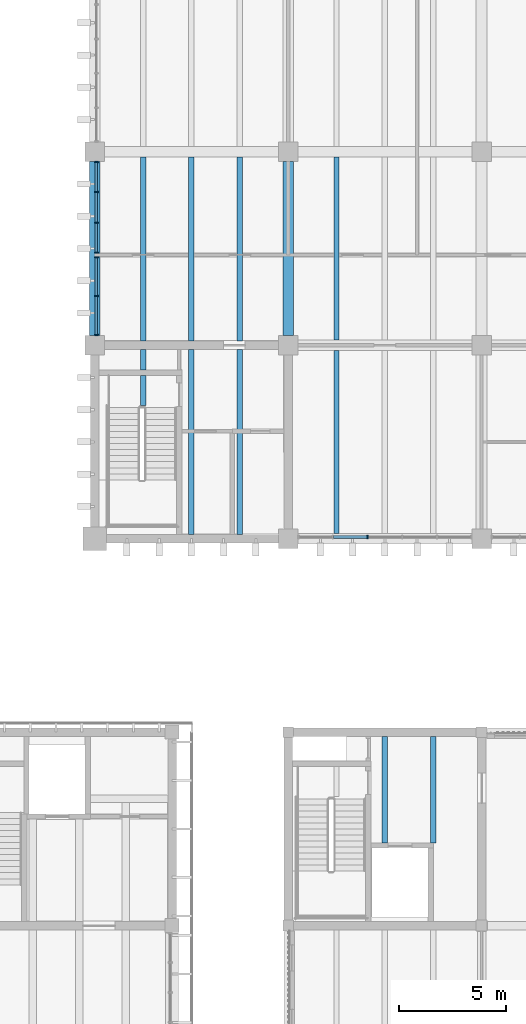
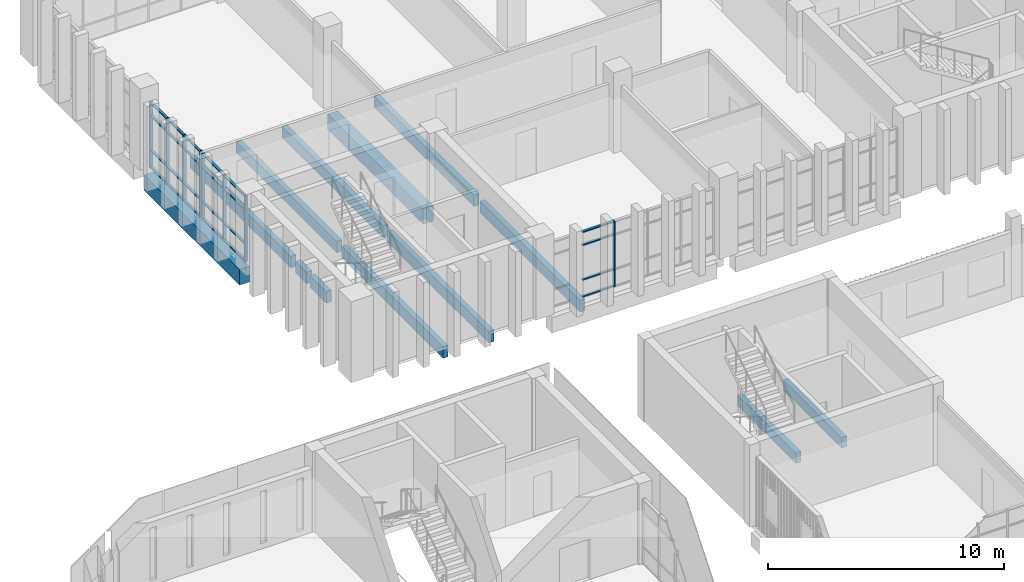
# One storey, part 28 of 92: 32 members, 13 beams, 3 elements without a shape of their own.
"""IFC4 building model written with IfcOpenShell, lengths in metres."""

from ifc_helpers import new_model, si_unit, direction, frame, origin, origin_2d, place, context, subcontext, project, spatial, rectangle, extrude, material, material_profile, profile_set, type_object, element, aggregate, save


model = new_model("IFC4")

# Units and contexts
model_context = context("Model", 3, precision=1e-05, world=origin(), true_north=direction((0.0, 1.0)))
body_context = subcontext(model_context, "Body", "Model", "MODEL_VIEW")
ifc_project = project(units=[si_unit("LENGTHUNIT", "METRE"), si_unit("AREAUNIT", "SQUARE_METRE"), si_unit("VOLUMEUNIT", "CUBIC_METRE"), si_unit("PLANEANGLEUNIT", "RADIAN"), si_unit("MASSUNIT", "GRAM", prefix="KILO")], contexts=[model_context])

# Site, building, storey
site_placement = place(None, origin())
site = spatial("IfcSite", under=ifc_project, at=site_placement, CompositionType="ELEMENT")
building_placement = place(site_placement, origin())
building = spatial("IfcBuilding", under=site, at=building_placement, Name="Merrow Basin Faculty of Sciences", CompositionType="ELEMENT")
storey_placement = place(building_placement, frame((0.0, 0.0, 4.5)))
storey = spatial("IfcBuildingStorey", under=building, at=storey_placement, Name="L01", CompositionType="ELEMENT", Elevation=4.5)

# Curtain wall, members
ifc_material_1 = material(Name="Aluminium alloy 6063", Category="aluminium")
curtain_wall_type = type_object("IfcCurtainWallType", Name="Unitised curtain wall 160", PredefinedType="NOTDEFINED", material=ifc_material_1)
curtain_wall_1_placement = place(storey_placement, origin())
curtain_wall_1 = element("IfcCurtainWall", 1, at=curtain_wall_1_placement, inside=storey, type_object=curtain_wall_type, Name="W curtain wall L01 1", PredefinedType="NOTDEFINED")
ifc_material_2 = material(Name="Aluminium alloy 6063", Category="aluminium")
ifc_material_profile_1 = material_profile(ifc_material_2, rectangle(XDim=0.159912109375, YDim=0.06005859375, at=origin_2d()))
ifc_profile_set_1 = profile_set([ifc_material_profile_1], Name="Aluminium alloy 6063")
member_type_1 = type_object("IfcMemberType", Name="Aluminium mullion 60x160", PredefinedType="MULLION", material=ifc_profile_set_1)
member_1_placement = place(storey_placement, frame((18.080078125, 151.47998046875, 0.0), z_axis=(0.0, 0.0, 1.0), x_axis=(-1.0, 0.0, 0.0)))
member_1 = element("IfcMember", 2, at=member_1_placement, type_object=member_type_1, Name="CW3 mullion 1", PredefinedType="MULLION", context=body_context, shape_type="SweptSolid", body=[
    extrude(rectangle(XDim=0.159912109375, YDim=0.06005859375, at=origin_2d()), origin(), (0.0, 0.0, 1.0), 3.39990234375),
])
member_2_placement = place(storey_placement, frame((18.080078125, 153.28759765625, 0.0), z_axis=(0.0, 0.0, 1.0), x_axis=(-1.0, 0.0, 0.0)))
member_2 = element("IfcMember", 3, at=member_2_placement, type_object=member_type_1, Name="CW3 mullion 2", PredefinedType="MULLION", context=body_context, shape_type="SweptSolid", body=[
    extrude(rectangle(XDim=0.159912109375, YDim=0.06005859375, at=origin_2d()), origin(), (0.0, 0.0, 1.0), 3.39990234375),
])
member_3_placement = place(storey_placement, frame((18.080078125, 155.094970703125, 0.0), z_axis=(0.0, 0.0, 1.0), x_axis=(-1.0, 0.0, 0.0)))
member_3 = element("IfcMember", 4, at=member_3_placement, type_object=member_type_1, Name="CW3 mullion 3", PredefinedType="MULLION", context=body_context, shape_type="SweptSolid", body=[
    extrude(rectangle(XDim=0.159912109375, YDim=0.06005859375, at=origin_2d()), origin(), (0.0, 0.0, 1.0), 3.39990234375),
])

curtain_wall_2_placement = place(storey_placement, origin())
curtain_wall_2 = element("IfcCurtainWall", 5, at=curtain_wall_2_placement, inside=storey, type_object=curtain_wall_type, Name="W curtain wall L01 2", PredefinedType="NOTDEFINED")
member_4_placement = place(storey_placement, frame((18.080078125, 155.304931640625, 0.0), z_axis=(0.0, 0.0, 1.0), x_axis=(-1.0, 0.0, 0.0)))
member_4 = element("IfcMember", 6, at=member_4_placement, type_object=member_type_1, Name="CW3 mullion 1", PredefinedType="MULLION", context=body_context, shape_type="SweptSolid", body=[
    extrude(rectangle(XDim=0.159912109375, YDim=0.06005859375, at=origin_2d()), origin(), (0.0, 0.0, 1.0), 3.39990234375),
])
member_5_placement = place(storey_placement, frame((18.080078125, 156.699951171875, 0.0), z_axis=(0.0, 0.0, 1.0), x_axis=(-1.0, 0.0, 0.0)))
member_5 = element("IfcMember", 7, at=member_5_placement, type_object=member_type_1, Name="CW3 mullion 2", PredefinedType="MULLION", context=body_context, shape_type="SweptSolid", body=[
    extrude(rectangle(XDim=0.159912109375, YDim=0.06005859375, at=origin_2d()), origin(), (0.0, 0.0, 1.0), 3.39990234375),
])
member_6_placement = place(storey_placement, frame((18.080078125, 158.125, 0.0), z_axis=(0.0, 0.0, 1.0), x_axis=(-1.0, 0.0, 0.0)))
member_6 = element("IfcMember", 8, at=member_6_placement, type_object=member_type_1, Name="CW3 mullion 3", PredefinedType="MULLION", context=body_context, shape_type="SweptSolid", body=[
    extrude(rectangle(XDim=0.159912109375, YDim=0.06005859375, at=origin_2d()), origin(), (0.0, 0.0, 1.0), 3.39990234375),
])
member_7_placement = place(storey_placement, frame((18.080078125, 159.52001953125, 0.0), z_axis=(0.0, 0.0, 1.0), x_axis=(-1.0, 0.0, 0.0)))
member_7 = element("IfcMember", 9, at=member_7_placement, type_object=member_type_1, Name="CW3 mullion 4", PredefinedType="MULLION", context=body_context, shape_type="SweptSolid", body=[
    extrude(rectangle(XDim=0.159912109375, YDim=0.06005859375, at=origin_2d()), origin(), (0.0, 0.0, 1.0), 3.39990234375),
])

# Curtain wall, member
curtain_wall_3_placement = place(storey_placement, origin())
curtain_wall_3 = element("IfcCurtainWall", 10, at=curtain_wall_3_placement, inside=storey, type_object=curtain_wall_type, Name="S curtain wall L01 1", PredefinedType="NOTDEFINED")
member_8_placement = place(storey_placement, frame((30.68994140625, 142.080078125, 0.0), z_axis=(0.0, 0.0, 1.0), x_axis=(0.0, 1.0, 0.0)))
member_8 = element("IfcMember", 11, at=member_8_placement, type_object=member_type_1, Name="CW3 mullion 3", PredefinedType="MULLION", context=body_context, shape_type="SweptSolid", body=[
    extrude(rectangle(XDim=0.159912109375, YDim=0.06005859375, at=origin_2d()), origin(), (0.0, 0.0, 1.0), 3.39990234375),
])

# Member
ifc_material_3 = material(Name="Aluminium alloy 6063", Category="aluminium")
ifc_material_profile_2 = material_profile(ifc_material_3, rectangle(XDim=0.1201171875, YDim=0.06005859375, at=origin_2d()))
ifc_profile_set_2 = profile_set([ifc_material_profile_2], Name="Aluminium alloy 6063")
member_type_2 = type_object("IfcMemberType", Name="Aluminium transom 60x120", PredefinedType="USERDEFINED", material=ifc_profile_set_2)
member_9_placement = place(storey_placement, frame((18.080078125, 151.510009765625, 0.030029296875), z_axis=(0.0, 1.0, 0.0), x_axis=(-1.0, 0.0, 0.0)))
member_9 = element("IfcMember", 12, at=member_9_placement, type_object=member_type_2, Name="CW3 transom 1.1", ObjectType="TRANSOM", PredefinedType="USERDEFINED", context=body_context, shape_type="SweptSolid", body=[
    extrude(rectangle(XDim=0.1201171875, YDim=0.06005859375, at=origin_2d()), origin(), (0.0, 0.0, 1.0), 1.74755859375),
])

member_10_placement = place(storey_placement, frame((18.080078125, 151.510009765625, 0.89990234375), z_axis=(0.0, 1.0, 0.0), x_axis=(-1.0, 0.0, 0.0)))
member_10 = element("IfcMember", 13, at=member_10_placement, type_object=member_type_2, Name="CW3 transom 1.2", ObjectType="TRANSOM", PredefinedType="USERDEFINED", context=body_context, shape_type="SweptSolid", body=[
    extrude(rectangle(XDim=0.1201171875, YDim=0.06005859375, at=origin_2d()), origin(), (0.0, 0.0, 1.0), 1.74755859375),
])

member_11_placement = place(storey_placement, frame((18.080078125, 151.510009765625, 2.699951171875), z_axis=(0.0, 1.0, 0.0), x_axis=(-1.0, 0.0, 0.0)))
member_11 = element("IfcMember", 14, at=member_11_placement, type_object=member_type_2, Name="CW3 transom 1.3", ObjectType="TRANSOM", PredefinedType="USERDEFINED", context=body_context, shape_type="SweptSolid", body=[
    extrude(rectangle(XDim=0.1201171875, YDim=0.06005859375, at=origin_2d()), origin(), (0.0, 0.0, 1.0), 1.74755859375),
])

member_12_placement = place(storey_placement, frame((18.080078125, 151.510009765625, 3.3701171875), z_axis=(0.0, 1.0, 0.0), x_axis=(-1.0, 0.0, 0.0)))
member_12 = element("IfcMember", 15, at=member_12_placement, type_object=member_type_2, Name="CW3 transom 1.4", ObjectType="TRANSOM", PredefinedType="USERDEFINED", context=body_context, shape_type="SweptSolid", body=[
    extrude(rectangle(XDim=0.1201171875, YDim=0.06005859375, at=origin_2d()), origin(), (0.0, 0.0, 1.0), 1.74755859375),
])

member_13_placement = place(storey_placement, frame((18.080078125, 153.3173828125, 0.030029296875), z_axis=(0.0, 1.0, 0.0), x_axis=(-1.0, 0.0, 0.0)))
member_13 = element("IfcMember", 16, at=member_13_placement, type_object=member_type_2, Name="CW3 transom 2.1", ObjectType="TRANSOM", PredefinedType="USERDEFINED", context=body_context, shape_type="SweptSolid", body=[
    extrude(rectangle(XDim=0.1201171875, YDim=0.06005859375, at=origin_2d()), origin(), (0.0, 0.0, 1.0), 1.74755859375),
])

member_14_placement = place(storey_placement, frame((18.080078125, 153.3173828125, 0.89990234375), z_axis=(0.0, 1.0, 0.0), x_axis=(-1.0, 0.0, 0.0)))
member_14 = element("IfcMember", 17, at=member_14_placement, type_object=member_type_2, Name="CW3 transom 2.2", ObjectType="TRANSOM", PredefinedType="USERDEFINED", context=body_context, shape_type="SweptSolid", body=[
    extrude(rectangle(XDim=0.1201171875, YDim=0.06005859375, at=origin_2d()), origin(), (0.0, 0.0, 1.0), 1.74755859375),
])

member_15_placement = place(storey_placement, frame((18.080078125, 153.3173828125, 2.699951171875), z_axis=(0.0, 1.0, 0.0), x_axis=(-1.0, 0.0, 0.0)))
member_15 = element("IfcMember", 18, at=member_15_placement, type_object=member_type_2, Name="CW3 transom 2.3", ObjectType="TRANSOM", PredefinedType="USERDEFINED", context=body_context, shape_type="SweptSolid", body=[
    extrude(rectangle(XDim=0.1201171875, YDim=0.06005859375, at=origin_2d()), origin(), (0.0, 0.0, 1.0), 1.74755859375),
])

member_16_placement = place(storey_placement, frame((18.080078125, 153.3173828125, 3.3701171875), z_axis=(0.0, 1.0, 0.0), x_axis=(-1.0, 0.0, 0.0)))
member_16 = element("IfcMember", 19, at=member_16_placement, type_object=member_type_2, Name="CW3 transom 2.4", ObjectType="TRANSOM", PredefinedType="USERDEFINED", context=body_context, shape_type="SweptSolid", body=[
    extrude(rectangle(XDim=0.1201171875, YDim=0.06005859375, at=origin_2d()), origin(), (0.0, 0.0, 1.0), 1.74755859375),
])

aggregate(curtain_wall_1, [member_1, member_2, member_3, member_9, member_10, member_11, member_12, member_13, member_14, member_15, member_16])

member_17_placement = place(storey_placement, frame((18.080078125, 155.3349609375, 0.030029296875), z_axis=(0.0, 1.0, 0.0), x_axis=(-1.0, 0.0, 0.0)))
member_17 = element("IfcMember", 20, at=member_17_placement, type_object=member_type_2, Name="CW3 transom 1.1", ObjectType="TRANSOM", PredefinedType="USERDEFINED", context=body_context, shape_type="SweptSolid", body=[
    extrude(rectangle(XDim=0.1201171875, YDim=0.06005859375, at=origin_2d()), origin(), (0.0, 0.0, 1.0), 1.3349609375),
])

member_18_placement = place(storey_placement, frame((18.080078125, 155.3349609375, 0.89990234375), z_axis=(0.0, 1.0, 0.0), x_axis=(-1.0, 0.0, 0.0)))
member_18 = element("IfcMember", 21, at=member_18_placement, type_object=member_type_2, Name="CW3 transom 1.2", ObjectType="TRANSOM", PredefinedType="USERDEFINED", context=body_context, shape_type="SweptSolid", body=[
    extrude(rectangle(XDim=0.1201171875, YDim=0.06005859375, at=origin_2d()), origin(), (0.0, 0.0, 1.0), 1.3349609375),
])

member_19_placement = place(storey_placement, frame((18.080078125, 155.3349609375, 2.699951171875), z_axis=(0.0, 1.0, 0.0), x_axis=(-1.0, 0.0, 0.0)))
member_19 = element("IfcMember", 22, at=member_19_placement, type_object=member_type_2, Name="CW3 transom 1.3", ObjectType="TRANSOM", PredefinedType="USERDEFINED", context=body_context, shape_type="SweptSolid", body=[
    extrude(rectangle(XDim=0.1201171875, YDim=0.06005859375, at=origin_2d()), origin(), (0.0, 0.0, 1.0), 1.3349609375),
])

member_20_placement = place(storey_placement, frame((18.080078125, 155.3349609375, 3.3701171875), z_axis=(0.0, 1.0, 0.0), x_axis=(-1.0, 0.0, 0.0)))
member_20 = element("IfcMember", 23, at=member_20_placement, type_object=member_type_2, Name="CW3 transom 1.4", ObjectType="TRANSOM", PredefinedType="USERDEFINED", context=body_context, shape_type="SweptSolid", body=[
    extrude(rectangle(XDim=0.1201171875, YDim=0.06005859375, at=origin_2d()), origin(), (0.0, 0.0, 1.0), 1.3349609375),
])

member_21_placement = place(storey_placement, frame((18.080078125, 156.72998046875, 0.030029296875), z_axis=(0.0, 1.0, 0.0), x_axis=(-1.0, 0.0, 0.0)))
member_21 = element("IfcMember", 24, at=member_21_placement, type_object=member_type_2, Name="CW3 transom 2.1", ObjectType="TRANSOM", PredefinedType="USERDEFINED", context=body_context, shape_type="SweptSolid", body=[
    extrude(rectangle(XDim=0.1201171875, YDim=0.06005859375, at=origin_2d()), origin(), (0.0, 0.0, 1.0), 1.364990234375),
])

member_22_placement = place(storey_placement, frame((18.080078125, 156.72998046875, 0.89990234375), z_axis=(0.0, 1.0, 0.0), x_axis=(-1.0, 0.0, 0.0)))
member_22 = element("IfcMember", 25, at=member_22_placement, type_object=member_type_2, Name="CW3 transom 2.2", ObjectType="TRANSOM", PredefinedType="USERDEFINED", context=body_context, shape_type="SweptSolid", body=[
    extrude(rectangle(XDim=0.1201171875, YDim=0.06005859375, at=origin_2d()), origin(), (0.0, 0.0, 1.0), 1.364990234375),
])

member_23_placement = place(storey_placement, frame((18.080078125, 156.72998046875, 2.699951171875), z_axis=(0.0, 1.0, 0.0), x_axis=(-1.0, 0.0, 0.0)))
member_23 = element("IfcMember", 26, at=member_23_placement, type_object=member_type_2, Name="CW3 transom 2.3", ObjectType="TRANSOM", PredefinedType="USERDEFINED", context=body_context, shape_type="SweptSolid", body=[
    extrude(rectangle(XDim=0.1201171875, YDim=0.06005859375, at=origin_2d()), origin(), (0.0, 0.0, 1.0), 1.364990234375),
])

member_24_placement = place(storey_placement, frame((18.080078125, 156.72998046875, 3.3701171875), z_axis=(0.0, 1.0, 0.0), x_axis=(-1.0, 0.0, 0.0)))
member_24 = element("IfcMember", 27, at=member_24_placement, type_object=member_type_2, Name="CW3 transom 2.4", ObjectType="TRANSOM", PredefinedType="USERDEFINED", context=body_context, shape_type="SweptSolid", body=[
    extrude(rectangle(XDim=0.1201171875, YDim=0.06005859375, at=origin_2d()), origin(), (0.0, 0.0, 1.0), 1.364990234375),
])

member_25_placement = place(storey_placement, frame((18.080078125, 158.155029296875, 0.030029296875), z_axis=(0.0, 1.0, 0.0), x_axis=(-1.0, 0.0, 0.0)))
member_25 = element("IfcMember", 28, at=member_25_placement, type_object=member_type_2, Name="CW3 transom 3.1", ObjectType="TRANSOM", PredefinedType="USERDEFINED", context=body_context, shape_type="SweptSolid", body=[
    extrude(rectangle(XDim=0.1201171875, YDim=0.06005859375, at=origin_2d()), origin(), (0.0, 0.0, 1.0), 1.3349609375),
])

member_26_placement = place(storey_placement, frame((18.080078125, 158.155029296875, 0.89990234375), z_axis=(0.0, 1.0, 0.0), x_axis=(-1.0, 0.0, 0.0)))
member_26 = element("IfcMember", 29, at=member_26_placement, type_object=member_type_2, Name="CW3 transom 3.2", ObjectType="TRANSOM", PredefinedType="USERDEFINED", context=body_context, shape_type="SweptSolid", body=[
    extrude(rectangle(XDim=0.1201171875, YDim=0.06005859375, at=origin_2d()), origin(), (0.0, 0.0, 1.0), 1.3349609375),
])

member_27_placement = place(storey_placement, frame((18.080078125, 158.155029296875, 2.699951171875), z_axis=(0.0, 1.0, 0.0), x_axis=(-1.0, 0.0, 0.0)))
member_27 = element("IfcMember", 30, at=member_27_placement, type_object=member_type_2, Name="CW3 transom 3.3", ObjectType="TRANSOM", PredefinedType="USERDEFINED", context=body_context, shape_type="SweptSolid", body=[
    extrude(rectangle(XDim=0.1201171875, YDim=0.06005859375, at=origin_2d()), origin(), (0.0, 0.0, 1.0), 1.3349609375),
])

member_28_placement = place(storey_placement, frame((18.080078125, 158.155029296875, 3.3701171875), z_axis=(0.0, 1.0, 0.0), x_axis=(-1.0, 0.0, 0.0)))
member_28 = element("IfcMember", 31, at=member_28_placement, type_object=member_type_2, Name="CW3 transom 3.4", ObjectType="TRANSOM", PredefinedType="USERDEFINED", context=body_context, shape_type="SweptSolid", body=[
    extrude(rectangle(XDim=0.1201171875, YDim=0.06005859375, at=origin_2d()), origin(), (0.0, 0.0, 1.0), 1.3349609375),
])

aggregate(curtain_wall_2, [member_4, member_5, member_6, member_7, member_17, member_18, member_19, member_20, member_21, member_22, member_23, member_24, member_25, member_26, member_27, member_28])

member_29_placement = place(storey_placement, frame((29.10009765625, 142.080078125, 0.030029296875), z_axis=(1.0, 0.0, 0.0), x_axis=(0.0, 1.0, 0.0)))
member_29 = element("IfcMember", 32, at=member_29_placement, type_object=member_type_2, Name="CW3 transom 2.1", ObjectType="TRANSOM", PredefinedType="USERDEFINED", context=body_context, shape_type="SweptSolid", body=[
    extrude(rectangle(XDim=0.1201171875, YDim=0.06005859375, at=origin_2d()), origin(), (0.0, 0.0, 1.0), 1.559814453125),
])

member_30_placement = place(storey_placement, frame((29.10009765625, 142.080078125, 0.89990234375), z_axis=(1.0, 0.0, 0.0), x_axis=(0.0, 1.0, 0.0)))
member_30 = element("IfcMember", 33, at=member_30_placement, type_object=member_type_2, Name="CW3 transom 2.2", ObjectType="TRANSOM", PredefinedType="USERDEFINED", context=body_context, shape_type="SweptSolid", body=[
    extrude(rectangle(XDim=0.1201171875, YDim=0.06005859375, at=origin_2d()), origin(), (0.0, 0.0, 1.0), 1.559814453125),
])

member_31_placement = place(storey_placement, frame((29.10009765625, 142.080078125, 2.699951171875), z_axis=(1.0, 0.0, 0.0), x_axis=(0.0, 1.0, 0.0)))
member_31 = element("IfcMember", 34, at=member_31_placement, type_object=member_type_2, Name="CW3 transom 2.3", ObjectType="TRANSOM", PredefinedType="USERDEFINED", context=body_context, shape_type="SweptSolid", body=[
    extrude(rectangle(XDim=0.1201171875, YDim=0.06005859375, at=origin_2d()), origin(), (0.0, 0.0, 1.0), 1.559814453125),
])

member_32_placement = place(storey_placement, frame((29.10009765625, 142.080078125, 3.3701171875), z_axis=(1.0, 0.0, 0.0), x_axis=(0.0, 1.0, 0.0)))
member_32 = element("IfcMember", 35, at=member_32_placement, type_object=member_type_2, Name="CW3 transom 2.4", ObjectType="TRANSOM", PredefinedType="USERDEFINED", context=body_context, shape_type="SweptSolid", body=[
    extrude(rectangle(XDim=0.1201171875, YDim=0.06005859375, at=origin_2d()), origin(), (0.0, 0.0, 1.0), 1.559814453125),
])

aggregate(curtain_wall_3, [member_8, member_29, member_30, member_31, member_32])

# Beams
ifc_material_4 = material(Name="Concrete C40/50", Category="concrete")
ifc_material_profile_3 = material_profile(ifc_material_4, rectangle(XDim=0.5, YDim=0.800048828125, at=origin_2d()))
ifc_profile_set_3 = profile_set([ifc_material_profile_3], Name="Concrete C40/50")
beam_type_1 = type_object("IfcBeamType", Name="Beam RC500x800 C40/50", PredefinedType="BEAM", material=ifc_profile_set_3)
for number, where, z_axis, x_axis, name in (
    (36, (18.0, 151.449951171875, -0.699951171875), (0.0, 1.0, 0.0), (-1.0, 0.0, 0.0), "B4 L01 013"),
    (37, (27.0, 151.449951171875, -0.699951171875), (0.0, 1.0, 0.0), (-1.0, 0.0, 0.0), "B4 L01 015"),
):
    element("IfcBeam", number, at=place(storey_placement, frame(where, z_axis=z_axis, x_axis=x_axis)), inside=storey, type_object=beam_type_1, Name=name, PredefinedType="BEAM", context=body_context, shape_type="SweptSolid", body=[
        extrude(rectangle(XDim=0.5, YDim=0.800048828125, at=origin_2d()), origin(), (0.0, 0.0, 1.0), 8.10009765625),
    ])
ifc_material_5 = material(Name="Concrete C40/50", Category="concrete")
ifc_material_profile_4 = material_profile(ifc_material_5, rectangle(XDim=0.25, YDim=0.550048828125, at=origin_2d()))
ifc_profile_set_4 = profile_set([ifc_material_profile_4], Name="Concrete C40/50")
beam_type_2 = type_object("IfcBeamType", Name="Commons floor joist RC250x550 C40/50", PredefinedType="BEAM", material=ifc_profile_set_4)
for number, where, z_axis, x_axis, name in (
    (38, (31.5, 127.85009765625, -0.52490234375), (0.0, 1.0, 0.0), (-1.0, 0.0, 0.0), "JC1 L01 046"),
    (39, (33.75, 127.85009765625, -0.52490234375), (0.0, 1.0, 0.0), (-1.0, 0.0, 0.0), "JC1 L01 047"),
):
    element("IfcBeam", number, at=place(storey_placement, frame(where, z_axis=z_axis, x_axis=x_axis)), inside=storey, type_object=beam_type_2, Name=name, PredefinedType="BEAM", context=body_context, shape_type="SweptSolid", body=[
        extrude(rectangle(XDim=0.25, YDim=0.550048828125, at=origin_2d()), origin(), (0.0, 0.0, 1.0), 4.949951171875),
    ])
ifc_material_6 = material(Name="Concrete C40/50", Category="concrete")
ifc_material_profile_5 = material_profile(ifc_material_6, rectangle(XDim=0.25, YDim=0.60009765625, at=origin_2d()))
ifc_profile_set_5 = profile_set([ifc_material_profile_5], Name="Concrete C40/50")
beam_type_3 = type_object("IfcBeamType", Name="Tower floor joist RC250x600 C40/50", PredefinedType="BEAM", material=ifc_profile_set_5)
beam_1_placement = place(storey_placement, frame((20.25, 148.199951171875, -0.60009765625), z_axis=(0.0, 1.0, 0.0), x_axis=(-1.0, 0.0, 0.0)))
element("IfcBeam", 40, at=beam_1_placement, inside=storey, type_object=beam_type_3, Name="JT1 L01 022", PredefinedType="BEAM", context=body_context, shape_type="SweptSolid", body=[
    extrude(rectangle(XDim=0.25, YDim=0.60009765625, at=origin_2d()), origin(), (0.0, 0.0, 1.0), 1.400146484375),
])
beam_2_placement = place(storey_placement, frame((20.25, 149.85009765625, -0.60009765625), z_axis=(0.0, 1.0, 0.0), x_axis=(-1.0, 0.0, 0.0)))
element("IfcBeam", 41, at=beam_2_placement, inside=storey, type_object=beam_type_3, Name="JT1 L01 023", PredefinedType="BEAM", context=body_context, shape_type="SweptSolid", body=[
    extrude(rectangle(XDim=0.25, YDim=0.60009765625, at=origin_2d()), origin(), (0.0, 0.0, 1.0), 0.949951171875),
])
for number, where, z_axis, x_axis, name in (
    (42, (22.5, 142.199951171875, -0.60009765625), (0.0, 1.0, 0.0), (-1.0, 0.0, 0.0), "JT1 L01 024"),
    (43, (24.75, 142.199951171875, -0.60009765625), (0.0, 1.0, 0.0), (-1.0, 0.0, 0.0), "JT1 L01 025"),
):
    element("IfcBeam", number, at=place(storey_placement, frame(where, z_axis=z_axis, x_axis=x_axis)), inside=storey, type_object=beam_type_3, Name=name, PredefinedType="BEAM", context=body_context, shape_type="SweptSolid", body=[
        extrude(rectangle(XDim=0.25, YDim=0.60009765625, at=origin_2d()), origin(), (0.0, 0.0, 1.0), 8.60009765625),
    ])
for number, where, z_axis, x_axis, name in (
    (44, (20.25, 151.199951171875, -0.60009765625), (0.0, 1.0, 0.0), (-1.0, 0.0, 0.0), "JT1 L01 026"),
    (45, (22.5, 151.199951171875, -0.60009765625), (0.0, 1.0, 0.0), (-1.0, 0.0, 0.0), "JT1 L01 027"),
    (46, (24.75, 151.199951171875, -0.60009765625), (0.0, 1.0, 0.0), (-1.0, 0.0, 0.0), "JT1 L01 028"),
):
    element("IfcBeam", number, at=place(storey_placement, frame(where, z_axis=z_axis, x_axis=x_axis)), inside=storey, type_object=beam_type_3, Name=name, PredefinedType="BEAM", context=body_context, shape_type="SweptSolid", body=[
        extrude(rectangle(XDim=0.25, YDim=0.60009765625, at=origin_2d()), origin(), (0.0, 0.0, 1.0), 8.550048828125),
    ])
for number, where, z_axis, x_axis, name in (
    (47, (29.25, 142.25, -0.60009765625), (0.0, 1.0, 0.0), (-1.0, 0.0, 0.0), "JT1 L01 032"),
    (48, (29.25, 151.25, -0.60009765625), (0.0, 1.0, 0.0), (-1.0, 0.0, 0.0), "JT1 L01 035"),
):
    element("IfcBeam", number, at=place(storey_placement, frame(where, z_axis=z_axis, x_axis=x_axis)), inside=storey, type_object=beam_type_3, Name=name, PredefinedType="BEAM", context=body_context, shape_type="SweptSolid", body=[
        extrude(rectangle(XDim=0.25, YDim=0.60009765625, at=origin_2d()), origin(), (0.0, 0.0, 1.0), 8.5),
    ])

save(model, "model.ifc")
